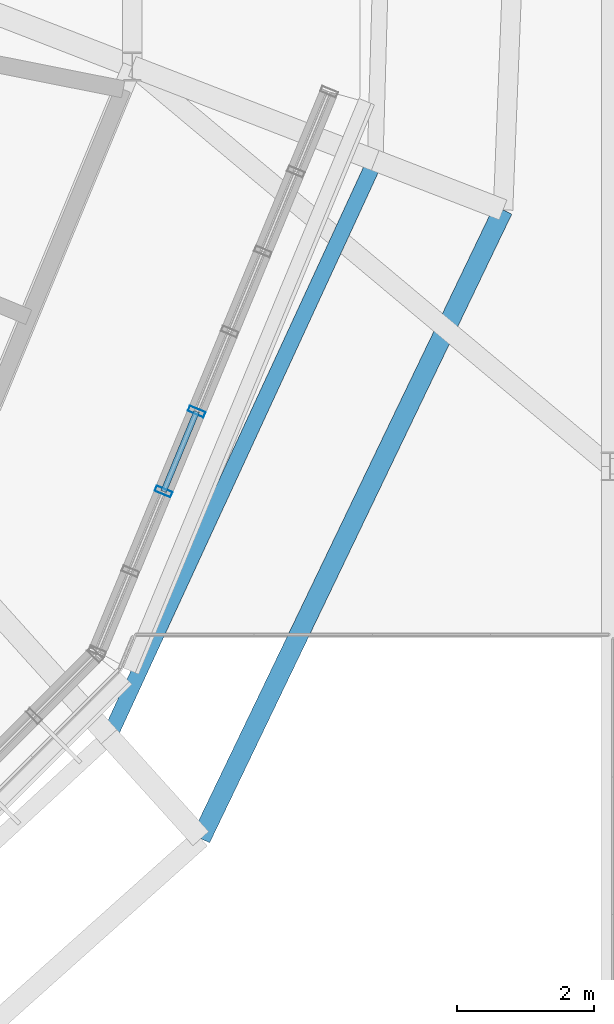
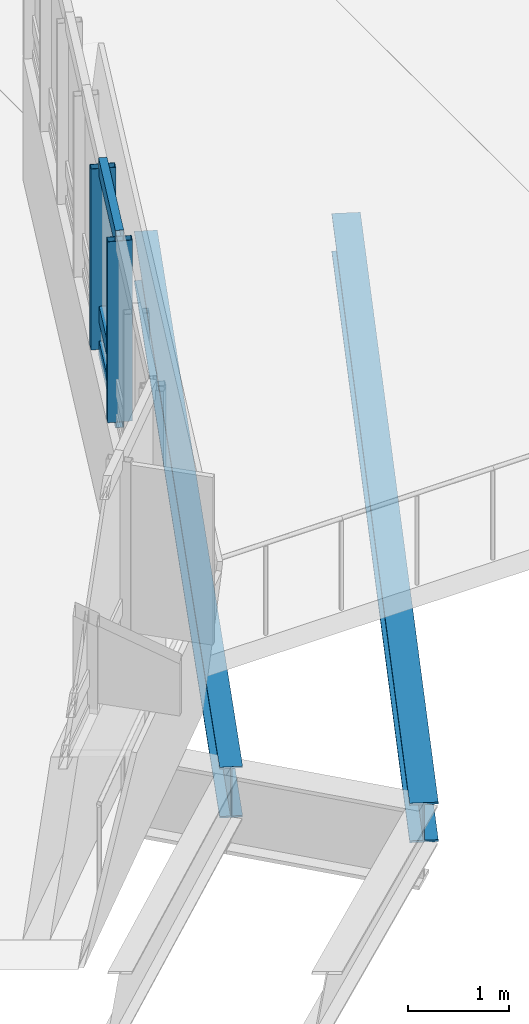
# One storey, part 19 of 61: 5 members, 2 beams, 1 element without a shape of its own.
"""IFC4 building model written with IfcOpenShell, lengths in metres."""

import ifcopenshell
import ifcopenshell.guid

model = None  # the IFC model being written
_history = None  # IfcOwnerHistory: only IFC2X3 demands one
_inside = {}  # id of a spatial element -> (the spatial element, [elements in it])
_under = {}  # id of a project, library or spatial element -> (it, [spatial elements below it])
_declared = {}  # id of a project -> (the project, [libraries it declares])
_typed = {}  # id of a type object -> (the type object, [elements of that type])
_made_of = {}  # id of a material, layer set ... -> (it, [elements and type objects made of it])


def new_model(schema):
    """Start an empty IFC model of exactly this schema.

    Asked for "IFC4X3", IfcOpenShell would pick the latest addendum, in which some entities
    have other attributes; the version numbers below select the first issue.
    IFC2X3 requires an IfcOwnerHistory on every rooted entity: one is made here for all.
    """
    global model, _history
    if schema == "IFC4X3":
        model = ifcopenshell.file(schema_version=(4, 3, 0, 0))
    else:
        model = ifcopenshell.file(schema=schema)
    _inside.clear()
    _under.clear()
    _declared.clear()
    _typed.clear()
    _made_of.clear()
    _history = None
    if model.schema == "IFC2X3":
        org = make("IfcOrganization", Name="unknown")
        user = make(
            "IfcPersonAndOrganization",
            ThePerson=make("IfcPerson", FamilyName="unknown"),
            TheOrganization=org,
        )
        app = make(
            "IfcApplication",
            ApplicationDeveloper=org,
            Version="unknown",
            ApplicationFullName="unknown",
            ApplicationIdentifier="unknown",
        )
        _history = make(
            "IfcOwnerHistory",
            OwningUser=user,
            OwningApplication=app,
            ChangeAction="ADDED",
            CreationDate=0,
        )
    return model


def make(cls, **values):
    """One entity of the class cls with the attributes given. An attribute that is None is left unset."""
    return model.create_entity(
        cls, **{name: value for name, value in values.items() if value is not None}
    )


def rooted(cls, **values):
    """An entity with a GlobalId (a new one), such as an element, a storey or a relation."""
    return make(cls, GlobalId=ifcopenshell.guid.new(), OwnerHistory=_history, **values)


def si_unit(unit_type, name, prefix=None):
    """IfcSIUnit, for example si_unit("LENGTHUNIT", "METRE", prefix="MILLI")."""
    return make("IfcSIUnit", UnitType=unit_type, Prefix=prefix, Name=name)


def derived_unit(unit_type, elements):
    """IfcDerivedUnit: a product of units, each with its exponent."""
    return make(
        "IfcDerivedUnit",
        Elements=[
            make("IfcDerivedUnitElement", Unit=unit, Exponent=power)
            for unit, power in elements
        ],
        UnitType=unit_type,
    )


def assignment(units):
    """IfcUnitAssignment: the units of a project."""
    return None if units is None else make("IfcUnitAssignment", Units=units)


def point(xyz):
    """IfcCartesianPoint."""
    return None if xyz is None else make("IfcCartesianPoint", Coordinates=xyz)


def direction(xyz):
    """IfcDirection."""
    return None if xyz is None else make("IfcDirection", DirectionRatios=xyz)


def frame(location, z_axis=None, x_axis=None):
    """IfcAxis2Placement3D, a coordinate frame: its origin and axes. An axis left out is left unset."""
    return make(
        "IfcAxis2Placement3D",
        Location=point(location),
        Axis=direction(z_axis),
        RefDirection=direction(x_axis),
    )


def frame_2d(location, x_axis=None):
    """IfcAxis2Placement2D, a coordinate frame in the plane: its origin and x axis."""
    return make(
        "IfcAxis2Placement2D", Location=point(location), RefDirection=direction(x_axis)
    )


def origin():
    """The frame at (0, 0, 0) with its axes left unset."""
    return frame((0.0, 0.0, 0.0))


def origin_2d():
    """The frame at (0, 0) in the plane with its x axis left unset."""
    return frame_2d((0.0, 0.0))


def place(relative_to, where):
    """IfcLocalPlacement: puts the frame where relative to a parent placement (None: the world)."""
    return make(
        "IfcLocalPlacement", PlacementRelTo=relative_to, RelativePlacement=where
    )


def context(
    kind, dimensions, precision=None, world=None, true_north=None, identifier=None
):
    """IfcGeometricRepresentationContext, for example the 3D "Model" context."""
    return make(
        "IfcGeometricRepresentationContext",
        ContextIdentifier=identifier,
        ContextType=kind,
        CoordinateSpaceDimension=dimensions,
        Precision=precision,
        WorldCoordinateSystem=world,
        TrueNorth=true_north,
    )


def subcontext(parent, identifier, kind, view, scale=None):
    """IfcGeometricRepresentationSubContext, for example "Body" below "Model"."""
    return make(
        "IfcGeometricRepresentationSubContext",
        ContextIdentifier=identifier,
        ContextType=kind,
        ParentContext=parent,
        TargetScale=scale,
        TargetView=view,
    )


def project(units=None, contexts=None):
    """IfcProject with its units and contexts."""
    return rooted(
        "IfcProject",
        Name="project",
        RepresentationContexts=contexts,
        UnitsInContext=assignment(units),
    )


def spatial(cls, under=None, at=None, **own):
    """A site, building, storey or space (cls), placed at a placement, below another one or the project."""
    s = rooted(cls, ObjectPlacement=at, **own)
    if under is not None:
        _under.setdefault(under.id(), (under, []))[1].append(s)
    return s


def profile(cls, at=None, kind="AREA", **sizes):
    """A parametric profile (cls). Its sizes go by their IFC names, for example OverallWidth=200.0."""
    return make(cls, ProfileType=kind, Position=at, **sizes)


def hollow_rectangle(**sizes):
    """IfcRectangleHollowProfileDef."""
    return profile("IfcRectangleHollowProfileDef", **sizes)


def i_section(**sizes):
    """IfcIShapeProfileDef."""
    return profile("IfcIShapeProfileDef", **sizes)


def extrude(swept, where, along, depth):
    """IfcExtrudedAreaSolid: the profile swept, set in the frame where, extruded along a direction by depth."""
    return make(
        "IfcExtrudedAreaSolid",
        SweptArea=swept,
        Position=where,
        ExtrudedDirection=direction(along),
        Depth=depth,
    )


def shape(context_of_items, identifier, shape_type, items):
    """IfcShapeRepresentation: the items that make up one representation, for example the "Body"."""
    return make(
        "IfcShapeRepresentation",
        ContextOfItems=context_of_items,
        RepresentationIdentifier=identifier,
        RepresentationType=shape_type,
        Items=items,
    )


def material(Name=None, Category=None):
    """IfcMaterial."""
    return make("IfcMaterial", Name=Name, Category=Category)


def layer(
    of_material, thickness, ventilated=None, Name=None, Category=None, Priority=None
):
    """IfcMaterialLayer: one layer of a wall or slab, of a material (None: an air gap)."""
    return make(
        "IfcMaterialLayer",
        Material=of_material,
        LayerThickness=thickness,
        IsVentilated=ventilated,
        Name=Name,
        Category=Category,
        Priority=Priority,
    )


def layer_set(layers, Name=None):
    """IfcMaterialLayerSet."""
    return make("IfcMaterialLayerSet", MaterialLayers=layers, LayerSetName=Name)


def material_profile(
    of_material, cross_section, Name=None, Category=None, Priority=None
):
    """IfcMaterialProfile: a cross section and its material."""
    return make(
        "IfcMaterialProfile",
        Name=Name,
        Material=of_material,
        Profile=cross_section,
        Priority=Priority,
        Category=Category,
    )


def profile_set(profiles, Name=None, composite=None):
    """IfcMaterialProfileSet."""
    return make(
        "IfcMaterialProfileSet",
        Name=Name,
        MaterialProfiles=profiles,
        CompositeProfile=composite,
    )


def made_of(thing, what):
    """Note that an element or type object is made of a material, layer set ...; save() writes the relation."""
    if what is not None:
        _made_of.setdefault(what.id(), (what, []))[1].append(thing)
    return thing


def type_object(cls, material=None, **own):
    """A type object (cls), such as IfcWallType, which elements share."""
    return made_of(rooted(cls, **own), material)


def element(
    cls,
    number,
    at=None,
    inside=None,
    cuts=None,
    type_object=None,
    material=None,
    context=None,
    identifier="Body",
    shape_type=None,
    held_by="IfcProductDefinitionShape",
    body=None,
    shapes=None,
    **own,
):
    """One element of the class cls, such as IfcWall. Its Tag is "e" and its number.

    at: its placement. inside: the storey or other place that contains it. cuts: it is an
    opening in that element (IfcRelVoidsElement). A single representation is given by context,
    identifier, shape_type and body (its items); several are given by shapes. held_by: the class
    of the entity that holds the representations. save() writes the other relations.
    """
    e = rooted(cls, Tag="e%d" % number, ObjectPlacement=at, **own)
    if body is not None:
        shapes = [shape(context, identifier, shape_type, body)]
    if shapes is not None:
        e.Representation = make(held_by, Representations=shapes)
    if inside is not None:
        _inside.setdefault(inside.id(), (inside, []))[1].append(e)
    if cuts is not None:
        rooted(
            "IfcRelVoidsElement", RelatingBuildingElement=cuts, RelatedOpeningElement=e
        )
    if type_object is not None:
        _typed.setdefault(type_object.id(), (type_object, []))[1].append(e)
    return made_of(e, material)


def aggregate(whole, parts):
    """IfcRelAggregates: a whole, such as a stair, and the parts it consists of."""
    return rooted("IfcRelAggregates", RelatingObject=whole, RelatedObjects=parts)


def save(model, path):
    """Write the relations noted so far, then the file.

    IfcRelAggregates (storeys below a building ...), IfcRelContainedInSpatialStructure (elements
    in a storey), IfcRelDefinesByType, IfcRelAssociatesMaterial and IfcRelDeclares: one each for
    every whole, place, type object, material and project.
    """
    for whole, parts in _under.values():
        aggregate(whole, parts)
    for where, things in _inside.values():
        rooted(
            "IfcRelContainedInSpatialStructure",
            RelatedElements=things,
            RelatingStructure=where,
        )
    for kind, things in _typed.values():
        rooted("IfcRelDefinesByType", RelatedObjects=things, RelatingType=kind)
    for what, things in _made_of.values():
        rooted("IfcRelAssociatesMaterial", RelatedObjects=things, RelatingMaterial=what)
    for by, libraries in _declared.values():
        rooted("IfcRelDeclares", RelatingContext=by, RelatedDefinitions=libraries)
    model.write(path)


model = new_model("IFC4")

# Units and contexts
model_context = context("Model", 3, precision=1e-05, world=origin(), true_north=direction((0.0, 1.0)))
body_context = subcontext(model_context, "Body", "Model", "MODEL_VIEW")
ifc_project = project(units=[si_unit("LENGTHUNIT", "METRE"), si_unit("AREAUNIT", "SQUARE_METRE"), si_unit("VOLUMEUNIT", "CUBIC_METRE"), si_unit("PLANEANGLEUNIT", "RADIAN"), si_unit("MASSUNIT", "GRAM", prefix="KILO"), derived_unit("THERMALTRANSMITTANCEUNIT", [(si_unit("MASSUNIT", "GRAM", prefix="KILO"), 1), (si_unit("TIMEUNIT", "SECOND"), -3), (si_unit("THERMODYNAMICTEMPERATUREUNIT", "KELVIN"), -1)])], contexts=[model_context])

# Site, building, storey
site_placement = place(None, origin())
site = spatial("IfcSite", under=ifc_project, at=site_placement, CompositionType="ELEMENT")
building_placement = place(site_placement, origin())
building = spatial("IfcBuilding", under=site, at=building_placement, Name="Makaiwela Harbour Ferry Terminal", CompositionType="ELEMENT")
storey_placement = place(building_placement, frame((0.0, 0.0, 13.800048828125)))
storey = spatial("IfcBuildingStorey", under=building, at=storey_placement, Name="L03", CompositionType="ELEMENT", Elevation=13.800048828125)

# Curtain wall, members
ifc_material_1 = material(Name="Marine anodised aluminium 6063-T6", Category="aluminium")
ifc_layer = layer(ifc_material_1, 0.199951171875)
ifc_layer_set = layer_set([ifc_layer], Name="Marine anodised aluminium 6063-T6")
curtain_wall_type = type_object("IfcCurtainWallType", Name="ENV-CW-05", PredefinedType="USERDEFINED", material=ifc_layer_set)
curtain_wall_placement = place(storey_placement, origin())
curtain_wall = element("IfcCurtainWall", 1, at=curtain_wall_placement, inside=storey, type_object=curtain_wall_type, Name="Unitised Curtain Wall CWA-042", ObjectType="UNITIZED CURTAIN WALL", PredefinedType="USERDEFINED")
ifc_material_profile_1 = material_profile(ifc_material_1, hollow_rectangle(XDim=0.0849609375, YDim=0.25, WallThickness=0.0048828125, at=origin_2d()), Name="CWM-250X85")
ifc_profile_set_1 = profile_set([ifc_material_profile_1], Name="Marine anodised aluminium 6063-T6")
member_type_1 = type_object("IfcMemberType", Name="CW-MUL-250", PredefinedType="MULLION", material=ifc_profile_set_1)
member_1_placement = place(storey_placement, frame((56.485107421875, 58.133056640625, 1.47998046875), z_axis=(0.0, 0.0, 1.0), x_axis=(0.382683432365, 0.923879532511, 0.0)))
member_1 = element("IfcMember", 2, at=member_1_placement, type_object=member_type_1, Name="Curtain Wall Mullion CWA-042-3", PredefinedType="MULLION", context=body_context, shape_type="SweptSolid", body=[
    extrude(hollow_rectangle(XDim=0.0849609375, YDim=0.25, WallThickness=0.0048828125, at=origin_2d()), origin(), (0.0, 0.0, 1.0), 2.179931640625),
])
member_2_placement = place(storey_placement, frame((56.96826171875, 59.29931640625, 1.47998046875), z_axis=(0.0, 0.0, 1.0), x_axis=(0.382683432365, 0.923879532511, 0.0)))
member_2 = element("IfcMember", 3, at=member_2_placement, type_object=member_type_1, Name="Curtain Wall Mullion CWA-042-4", PredefinedType="MULLION", context=body_context, shape_type="SweptSolid", body=[
    extrude(hollow_rectangle(XDim=0.0849609375, YDim=0.25, WallThickness=0.0048828125, at=origin_2d()), origin(), (0.0, 0.0, 1.0), 2.179931640625),
])
ifc_material_profile_2 = material_profile(ifc_material_1, hollow_rectangle(XDim=0.0849609375, YDim=0.199951171875, WallThickness=0.0048828125, at=origin_2d()), Name="CWT-200X85")
ifc_profile_set_2 = profile_set([ifc_material_profile_2], Name="Marine anodised aluminium 6063-T6")
member_type_2 = type_object("IfcMemberType", Name="CW-TRN-200", PredefinedType="USERDEFINED", material=ifc_profile_set_2)
member_3_placement = place(storey_placement, frame((56.485107421875, 58.133056640625, 1.47998046875), z_axis=(0.38273325349, 0.923858894352, 0.0), x_axis=(-0.923858894352, 0.38273325349, 0.0)))
member_3 = element("IfcMember", 4, at=member_3_placement, type_object=member_type_2, Name="Curtain Wall Transom CWA-042-3-1", ObjectType="TRANSOM", PredefinedType="USERDEFINED", context=body_context, shape_type="SweptSolid", body=[
    extrude(hollow_rectangle(XDim=0.0849609375, YDim=0.199951171875, WallThickness=0.0048828125, at=origin_2d()), origin(), (0.0, 0.0, 1.0), 1.262451171875),
])
member_4_placement = place(storey_placement, frame((56.485107421875, 58.133056640625, 1.89990234375), z_axis=(0.38273325349, 0.923858894352, 0.0), x_axis=(-0.923858894352, 0.38273325349, 0.0)))
member_4 = element("IfcMember", 5, at=member_4_placement, type_object=member_type_2, Name="Curtain Wall Transom CWA-042-3-2", ObjectType="TRANSOM", PredefinedType="USERDEFINED", context=body_context, shape_type="SweptSolid", body=[
    extrude(hollow_rectangle(XDim=0.0849609375, YDim=0.199951171875, WallThickness=0.0048828125, at=origin_2d()), origin(), (0.0, 0.0, 1.0), 1.262451171875),
])
member_5_placement = place(storey_placement, frame((56.485107421875, 58.133056640625, 3.659912109375), z_axis=(0.38273325349, 0.923858894352, 0.0), x_axis=(-0.923858894352, 0.38273325349, 0.0)))
member_5 = element("IfcMember", 6, at=member_5_placement, type_object=member_type_2, Name="Curtain Wall Transom CWA-042-3-3", ObjectType="TRANSOM", PredefinedType="USERDEFINED", context=body_context, shape_type="SweptSolid", body=[
    extrude(hollow_rectangle(XDim=0.0849609375, YDim=0.199951171875, WallThickness=0.0048828125, at=origin_2d()), origin(), (0.0, 0.0, 1.0), 1.262451171875),
])
aggregate(curtain_wall, [member_1, member_2, member_3, member_4, member_5])

# Beams
ifc_material_2 = material(Name="Steel ASTM A992 Grade 50", Category="steel")
ifc_material_profile_3 = material_profile(ifc_material_2, i_section(OverallWidth=0.22900390625, OverallDepth=0.612060546875, WebThickness=0.011962890625, FlangeThickness=0.01953125, at=origin_2d()), Name="W24X84")
ifc_profile_set_3 = profile_set([ifc_material_profile_3], Name="Steel ASTM A992 Grade 50")
beam_type_1 = type_object("IfcBeamType", Name="STR-GRD-W24X84", PredefinedType="USERDEFINED", material=ifc_profile_set_3)
beam_1_placement = place(storey_placement, frame((55.690673828125, 54.55419921875, -0.56103515625), z_axis=(0.419171842319, 0.907906915167, 0.0), x_axis=(-0.907906915167, 0.419171842319, 0.0)))
element("IfcBeam", 7, at=beam_1_placement, inside=storey, type_object=beam_type_1, Name="Drum overhang tie girder 353", ObjectType="GIRDER", PredefinedType="USERDEFINED", context=body_context, shape_type="SweptSolid", body=[
    extrude(i_section(OverallWidth=0.22900390625, OverallDepth=0.612060546875, WebThickness=0.011962890625, FlangeThickness=0.01953125, at=origin_2d()), origin(), (0.0, 0.0, 1.0), 9.261962890625),
])
ifc_material_profile_4 = material_profile(ifc_material_2, i_section(OverallWidth=0.283935546875, OverallDepth=0.47607421875, WebThickness=0.014892578125, FlangeThickness=0.02392578125, at=origin_2d()), Name="W18X106")
ifc_profile_set_4 = profile_set([ifc_material_profile_4], Name="Steel ASTM A992 Grade 50")
beam_type_2 = type_object("IfcBeamType", Name="STR-SPN-W18X106", PredefinedType="SPANDREL", material=ifc_profile_set_4)
beam_2_placement = place(storey_placement, frame((57.029296875, 53.068115234375, -0.4931640625), z_axis=(0.433198134775, 0.901298716313, 0.0), x_axis=(-0.901298716313, 0.433198134775, 0.0)))
element("IfcBeam", 8, at=beam_2_placement, inside=storey, type_object=beam_type_2, Name="Drum perimeter spandrel 366", PredefinedType="SPANDREL", context=body_context, shape_type="SweptSolid", body=[
    extrude(i_section(OverallWidth=0.283935546875, OverallDepth=0.47607421875, WebThickness=0.014892578125, FlangeThickness=0.02392578125, at=origin_2d()), origin(), (0.0, 0.0, 1.0), 10.177734375),
])

save(model, "model.ifc")
